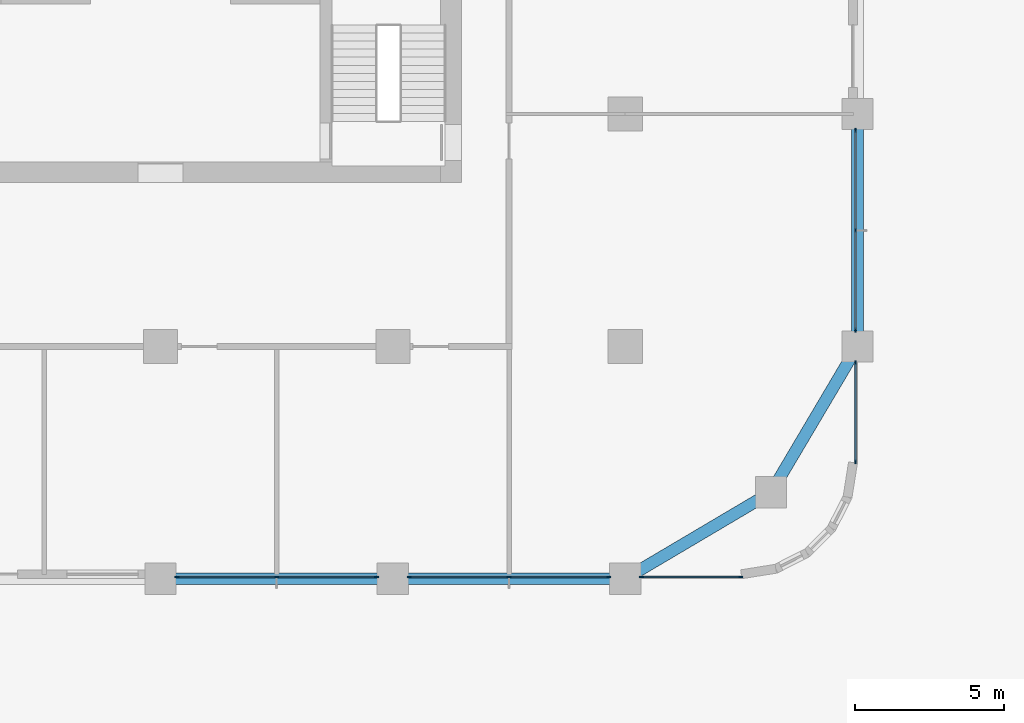
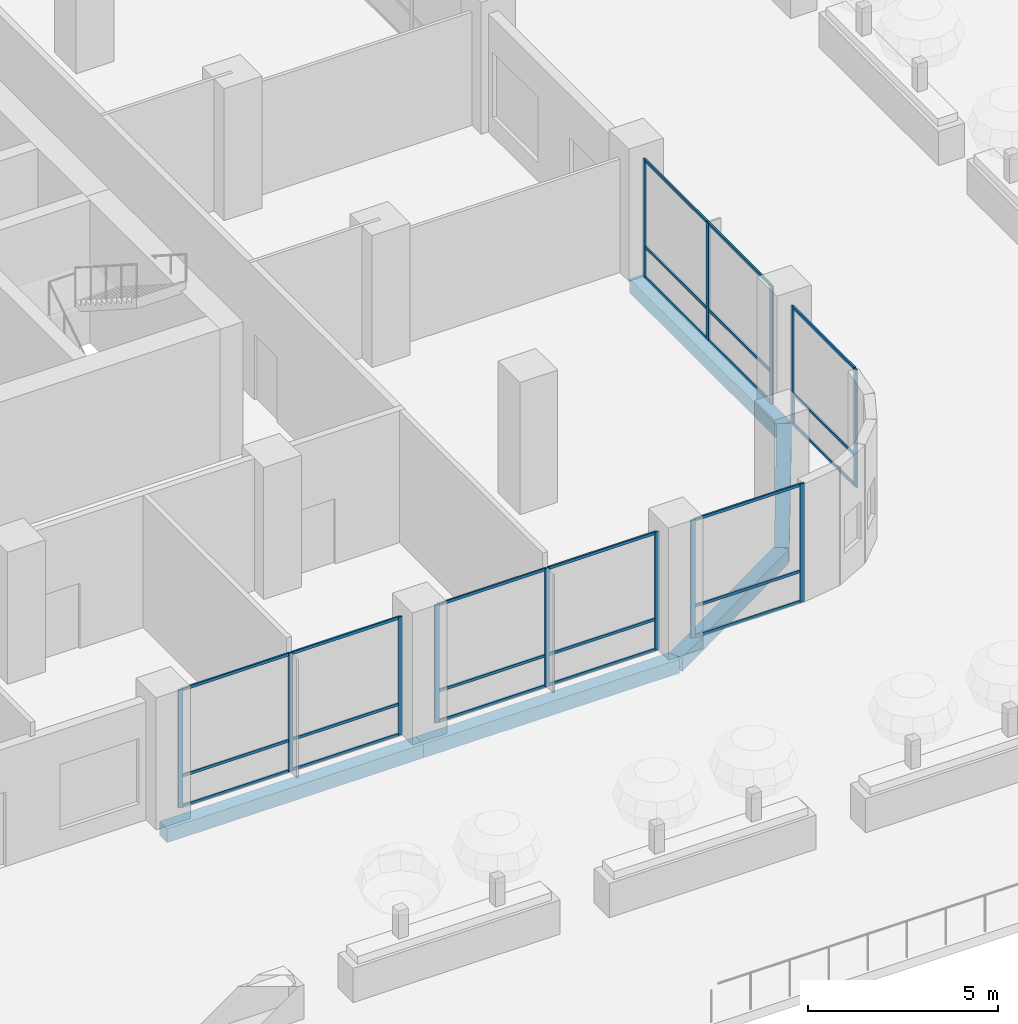
# One storey, part 4 of 31: 37 members, 5 beams, 5 elements without a shape of their own.
"""IFC4 building model written with IfcOpenShell, lengths in metres."""

from ifc_helpers import new_model, si_unit, direction, frame, origin, origin_2d, place, context, subcontext, project, spatial, rectangle, extrude, material, material_profile, profile_set, type_object, element, aggregate, save


model = new_model("IFC4")

# Units and contexts
model_context = context("Model", 3, precision=1e-05, world=origin(), true_north=direction((0.0, 1.0)))
body_context = subcontext(model_context, "Body", "Model", "MODEL_VIEW")
ifc_project = project(units=[si_unit("LENGTHUNIT", "METRE"), si_unit("AREAUNIT", "SQUARE_METRE"), si_unit("VOLUMEUNIT", "CUBIC_METRE"), si_unit("PLANEANGLEUNIT", "RADIAN"), si_unit("MASSUNIT", "GRAM", prefix="KILO")], contexts=[model_context])

# Site, building, storey
site_placement = place(None, origin())
site = spatial("IfcSite", under=ifc_project, at=site_placement, CompositionType="ELEMENT")
building_placement = place(site_placement, origin())
building = spatial("IfcBuilding", under=site, at=building_placement, Name="Ludao Terraces", CompositionType="ELEMENT")
storey_placement = place(building_placement, frame((0.0, 0.0, 15.0)))
storey = spatial("IfcBuildingStorey", under=building, at=storey_placement, Name="L03", CompositionType="ELEMENT", Elevation=15.0)

# Curtain wall, members
ifc_material_1 = material(Name="Aluminium curtain wall with fritted glass", Category="aluminium")
curtain_wall_type = type_object("IfcCurtainWallType", Name="ENV CW5 amenity glazing", PredefinedType="NOTDEFINED", material=ifc_material_1)
curtain_wall_1_placement = place(storey_placement, origin())
curtain_wall_1 = element("IfcCurtainWall", 1, at=curtain_wall_1_placement, inside=storey, type_object=curtain_wall_type, Name="Amenity glazing L03 S4", PredefinedType="NOTDEFINED")
ifc_material_2 = material(Name="Aluminium 6063-T6", Category="aluminium")
ifc_material_profile_1 = material_profile(ifc_material_2, rectangle(XDim=0.050048828125, YDim=0.139892578125, at=origin_2d()), Name="50 X 140")
ifc_profile_set_1 = profile_set([ifc_material_profile_1], Name="Aluminium 6063-T6")
member_type_1 = type_object("IfcMemberType", Name="ENV CW5 mullion 50x140", PredefinedType="MULLION", material=ifc_profile_set_1)
member_1_placement = place(storey_placement, frame((85.550048828125, 41.659912109375, 0.0), z_axis=(0.0, 0.0, 1.0), x_axis=(0.0, 1.0, 0.0)))
member_1 = element("IfcMember", 2, at=member_1_placement, type_object=member_type_1, Name="CW5 mullion 1", PredefinedType="MULLION", context=body_context, shape_type="SweptSolid", body=[
    extrude(rectangle(XDim=0.050048828125, YDim=0.139892578125, at=origin_2d()), origin(), (0.0, 0.0, 1.0), 3.800048828125),
])
member_2_placement = place(storey_placement, frame((88.89990234375, 41.659912109375, 0.0), z_axis=(0.0, 0.0, 1.0), x_axis=(0.0, 1.0, 0.0)))
member_2 = element("IfcMember", 3, at=member_2_placement, type_object=member_type_1, Name="CW5 mullion 2", PredefinedType="MULLION", context=body_context, shape_type="SweptSolid", body=[
    extrude(rectangle(XDim=0.050048828125, YDim=0.139892578125, at=origin_2d()), origin(), (0.0, 0.0, 1.0), 3.800048828125),
])
member_3_placement = place(storey_placement, frame((92.25, 41.659912109375, 0.0), z_axis=(0.0, 0.0, 1.0), x_axis=(0.0, 1.0, 0.0)))
member_3 = element("IfcMember", 4, at=member_3_placement, type_object=member_type_1, Name="CW5 mullion 3", PredefinedType="MULLION", context=body_context, shape_type="SweptSolid", body=[
    extrude(rectangle(XDim=0.050048828125, YDim=0.139892578125, at=origin_2d()), origin(), (0.0, 0.0, 1.0), 3.800048828125),
])

curtain_wall_2_placement = place(storey_placement, origin())
curtain_wall_2 = element("IfcCurtainWall", 5, at=curtain_wall_2_placement, inside=storey, type_object=curtain_wall_type, Name="Amenity glazing L03 S5", PredefinedType="NOTDEFINED")
member_4_placement = place(storey_placement, frame((93.35009765625, 41.659912109375, 0.0), z_axis=(0.0, 0.0, 1.0), x_axis=(0.0, 1.0, 0.0)))
member_4 = element("IfcMember", 6, at=member_4_placement, type_object=member_type_1, Name="CW5 mullion 1", PredefinedType="MULLION", context=body_context, shape_type="SweptSolid", body=[
    extrude(rectangle(XDim=0.050048828125, YDim=0.139892578125, at=origin_2d()), origin(), (0.0, 0.0, 1.0), 3.800048828125),
])
member_5_placement = place(storey_placement, frame((96.699951171875, 41.659912109375, 0.0), z_axis=(0.0, 0.0, 1.0), x_axis=(0.0, 1.0, 0.0)))
member_5 = element("IfcMember", 7, at=member_5_placement, type_object=member_type_1, Name="CW5 mullion 2", PredefinedType="MULLION", context=body_context, shape_type="SweptSolid", body=[
    extrude(rectangle(XDim=0.050048828125, YDim=0.139892578125, at=origin_2d()), origin(), (0.0, 0.0, 1.0), 3.800048828125),
])
member_6_placement = place(storey_placement, frame((100.050048828125, 41.659912109375, 0.0), z_axis=(0.0, 0.0, 1.0), x_axis=(0.0, 1.0, 0.0)))
member_6 = element("IfcMember", 8, at=member_6_placement, type_object=member_type_1, Name="CW5 mullion 3", PredefinedType="MULLION", context=body_context, shape_type="SweptSolid", body=[
    extrude(rectangle(XDim=0.050048828125, YDim=0.139892578125, at=origin_2d()), origin(), (0.0, 0.0, 1.0), 3.800048828125),
])

curtain_wall_3_placement = place(storey_placement, origin())
curtain_wall_3 = element("IfcCurtainWall", 9, at=curtain_wall_3_placement, inside=storey, type_object=curtain_wall_type, Name="Amenity glazing L03 S6", PredefinedType="NOTDEFINED")
member_7_placement = place(storey_placement, frame((101.14990234375, 41.659912109375, 0.0), z_axis=(0.0, 0.0, 1.0), x_axis=(0.0, 1.0, 0.0)))
member_7 = element("IfcMember", 10, at=member_7_placement, type_object=member_type_1, Name="CW5 mullion 1", PredefinedType="MULLION", context=body_context, shape_type="SweptSolid", body=[
    extrude(rectangle(XDim=0.050048828125, YDim=0.139892578125, at=origin_2d()), origin(), (0.0, 0.0, 1.0), 3.800048828125),
])
member_8_placement = place(storey_placement, frame((104.47509765625, 41.659912109375, 0.0), z_axis=(0.0, 0.0, 1.0), x_axis=(0.0, 1.0, 0.0)))
member_8 = element("IfcMember", 11, at=member_8_placement, type_object=member_type_1, Name="CW5 mullion 2", PredefinedType="MULLION", context=body_context, shape_type="SweptSolid", body=[
    extrude(rectangle(XDim=0.050048828125, YDim=0.139892578125, at=origin_2d()), origin(), (0.0, 0.0, 1.0), 3.800048828125),
])

curtain_wall_4_placement = place(storey_placement, origin())
curtain_wall_4 = element("IfcCurtainWall", 12, at=curtain_wall_4_placement, inside=storey, type_object=curtain_wall_type, Name="Amenity glazing L03 E1", PredefinedType="NOTDEFINED")
member_9_placement = place(storey_placement, frame((108.340087890625, 45.52490234375, 0.0), z_axis=(0.0, 0.0, 1.0), x_axis=(-1.0, 0.0, 0.0)))
member_9 = element("IfcMember", 13, at=member_9_placement, type_object=member_type_1, Name="CW5 mullion 1", PredefinedType="MULLION", context=body_context, shape_type="SweptSolid", body=[
    extrude(rectangle(XDim=0.050048828125, YDim=0.139892578125, at=origin_2d()), origin(), (0.0, 0.0, 1.0), 3.800048828125),
])
member_10_placement = place(storey_placement, frame((108.340087890625, 48.85009765625, 0.0), z_axis=(0.0, 0.0, 1.0), x_axis=(-1.0, 0.0, 0.0)))
member_10 = element("IfcMember", 14, at=member_10_placement, type_object=member_type_1, Name="CW5 mullion 2", PredefinedType="MULLION", context=body_context, shape_type="SweptSolid", body=[
    extrude(rectangle(XDim=0.050048828125, YDim=0.139892578125, at=origin_2d()), origin(), (0.0, 0.0, 1.0), 3.800048828125),
])

curtain_wall_5_placement = place(storey_placement, origin())
curtain_wall_5 = element("IfcCurtainWall", 15, at=curtain_wall_5_placement, inside=storey, type_object=curtain_wall_type, Name="Amenity glazing L03 E2", PredefinedType="NOTDEFINED")
member_11_placement = place(storey_placement, frame((108.340087890625, 49.949951171875, 0.0), z_axis=(0.0, 0.0, 1.0), x_axis=(-1.0, 0.0, 0.0)))
member_11 = element("IfcMember", 16, at=member_11_placement, type_object=member_type_1, Name="CW5 mullion 1", PredefinedType="MULLION", context=body_context, shape_type="SweptSolid", body=[
    extrude(rectangle(XDim=0.050048828125, YDim=0.139892578125, at=origin_2d()), origin(), (0.0, 0.0, 1.0), 3.800048828125),
])
member_12_placement = place(storey_placement, frame((108.340087890625, 53.300048828125, 0.0), z_axis=(0.0, 0.0, 1.0), x_axis=(-1.0, 0.0, 0.0)))
member_12 = element("IfcMember", 17, at=member_12_placement, type_object=member_type_1, Name="CW5 mullion 2", PredefinedType="MULLION", context=body_context, shape_type="SweptSolid", body=[
    extrude(rectangle(XDim=0.050048828125, YDim=0.139892578125, at=origin_2d()), origin(), (0.0, 0.0, 1.0), 3.800048828125),
])
member_13_placement = place(storey_placement, frame((108.340087890625, 56.64990234375, 0.0), z_axis=(0.0, 0.0, 1.0), x_axis=(-1.0, 0.0, 0.0)))
member_13 = element("IfcMember", 18, at=member_13_placement, type_object=member_type_1, Name="CW5 mullion 3", PredefinedType="MULLION", context=body_context, shape_type="SweptSolid", body=[
    extrude(rectangle(XDim=0.050048828125, YDim=0.139892578125, at=origin_2d()), origin(), (0.0, 0.0, 1.0), 3.800048828125),
])

# Member
ifc_material_profile_2 = material_profile(ifc_material_2, rectangle(XDim=0.050048828125, YDim=0.090087890625, at=origin_2d()), Name="50 X 90")
ifc_profile_set_2 = profile_set([ifc_material_profile_2], Name="Aluminium 6063-T6")
member_type_2 = type_object("IfcMemberType", Name="ENV CW5 transom 50x90", PredefinedType="USERDEFINED", material=ifc_profile_set_2)
member_14_placement = place(storey_placement, frame((85.574951171875, 41.659912109375, 0.02490234375), z_axis=(1.0, 0.0, 0.0), x_axis=(0.0, 1.0, 0.0)))
member_14 = element("IfcMember", 19, at=member_14_placement, type_object=member_type_2, Name="CW5 transom 1.1", ObjectType="TRANSOM", PredefinedType="USERDEFINED", context=body_context, shape_type="SweptSolid", body=[
    extrude(rectangle(XDim=0.050048828125, YDim=0.090087890625, at=origin_2d()), origin(), (0.0, 0.0, 1.0), 3.300048828125),
])

member_15_placement = place(storey_placement, frame((85.574951171875, 41.659912109375, 1.0), z_axis=(1.0, 0.0, 0.0), x_axis=(0.0, 1.0, 0.0)))
member_15 = element("IfcMember", 20, at=member_15_placement, type_object=member_type_2, Name="CW5 transom 1.2", ObjectType="TRANSOM", PredefinedType="USERDEFINED", context=body_context, shape_type="SweptSolid", body=[
    extrude(rectangle(XDim=0.050048828125, YDim=0.090087890625, at=origin_2d()), origin(), (0.0, 0.0, 1.0), 3.300048828125),
])

member_16_placement = place(storey_placement, frame((85.574951171875, 41.659912109375, 3.77490234375), z_axis=(1.0, 0.0, 0.0), x_axis=(0.0, 1.0, 0.0)))
member_16 = element("IfcMember", 21, at=member_16_placement, type_object=member_type_2, Name="CW5 transom 1.3", ObjectType="TRANSOM", PredefinedType="USERDEFINED", context=body_context, shape_type="SweptSolid", body=[
    extrude(rectangle(XDim=0.050048828125, YDim=0.090087890625, at=origin_2d()), origin(), (0.0, 0.0, 1.0), 3.300048828125),
])

member_17_placement = place(storey_placement, frame((88.925048828125, 41.659912109375, 0.02490234375), z_axis=(1.0, 0.0, 0.0), x_axis=(0.0, 1.0, 0.0)))
member_17 = element("IfcMember", 22, at=member_17_placement, type_object=member_type_2, Name="CW5 transom 2.1", ObjectType="TRANSOM", PredefinedType="USERDEFINED", context=body_context, shape_type="SweptSolid", body=[
    extrude(rectangle(XDim=0.050048828125, YDim=0.090087890625, at=origin_2d()), origin(), (0.0, 0.0, 1.0), 3.300048828125),
])

member_18_placement = place(storey_placement, frame((88.925048828125, 41.659912109375, 1.0), z_axis=(1.0, 0.0, 0.0), x_axis=(0.0, 1.0, 0.0)))
member_18 = element("IfcMember", 23, at=member_18_placement, type_object=member_type_2, Name="CW5 transom 2.2", ObjectType="TRANSOM", PredefinedType="USERDEFINED", context=body_context, shape_type="SweptSolid", body=[
    extrude(rectangle(XDim=0.050048828125, YDim=0.090087890625, at=origin_2d()), origin(), (0.0, 0.0, 1.0), 3.300048828125),
])

member_19_placement = place(storey_placement, frame((88.925048828125, 41.659912109375, 3.77490234375), z_axis=(1.0, 0.0, 0.0), x_axis=(0.0, 1.0, 0.0)))
member_19 = element("IfcMember", 24, at=member_19_placement, type_object=member_type_2, Name="CW5 transom 2.3", ObjectType="TRANSOM", PredefinedType="USERDEFINED", context=body_context, shape_type="SweptSolid", body=[
    extrude(rectangle(XDim=0.050048828125, YDim=0.090087890625, at=origin_2d()), origin(), (0.0, 0.0, 1.0), 3.300048828125),
])

aggregate(curtain_wall_1, [member_1, member_2, member_3, member_14, member_15, member_16, member_17, member_18, member_19])

member_20_placement = place(storey_placement, frame((93.375, 41.659912109375, 0.02490234375), z_axis=(1.0, 0.0, 0.0), x_axis=(0.0, 1.0, 0.0)))
member_20 = element("IfcMember", 25, at=member_20_placement, type_object=member_type_2, Name="CW5 transom 1.1", ObjectType="TRANSOM", PredefinedType="USERDEFINED", context=body_context, shape_type="SweptSolid", body=[
    extrude(rectangle(XDim=0.050048828125, YDim=0.090087890625, at=origin_2d()), origin(), (0.0, 0.0, 1.0), 3.300048828125),
])

member_21_placement = place(storey_placement, frame((93.375, 41.659912109375, 1.0), z_axis=(1.0, 0.0, 0.0), x_axis=(0.0, 1.0, 0.0)))
member_21 = element("IfcMember", 26, at=member_21_placement, type_object=member_type_2, Name="CW5 transom 1.2", ObjectType="TRANSOM", PredefinedType="USERDEFINED", context=body_context, shape_type="SweptSolid", body=[
    extrude(rectangle(XDim=0.050048828125, YDim=0.090087890625, at=origin_2d()), origin(), (0.0, 0.0, 1.0), 3.300048828125),
])

member_22_placement = place(storey_placement, frame((93.375, 41.659912109375, 3.77490234375), z_axis=(1.0, 0.0, 0.0), x_axis=(0.0, 1.0, 0.0)))
member_22 = element("IfcMember", 27, at=member_22_placement, type_object=member_type_2, Name="CW5 transom 1.3", ObjectType="TRANSOM", PredefinedType="USERDEFINED", context=body_context, shape_type="SweptSolid", body=[
    extrude(rectangle(XDim=0.050048828125, YDim=0.090087890625, at=origin_2d()), origin(), (0.0, 0.0, 1.0), 3.300048828125),
])

member_23_placement = place(storey_placement, frame((96.72509765625, 41.659912109375, 0.02490234375), z_axis=(1.0, 0.0, 0.0), x_axis=(0.0, 1.0, 0.0)))
member_23 = element("IfcMember", 28, at=member_23_placement, type_object=member_type_2, Name="CW5 transom 2.1", ObjectType="TRANSOM", PredefinedType="USERDEFINED", context=body_context, shape_type="SweptSolid", body=[
    extrude(rectangle(XDim=0.050048828125, YDim=0.090087890625, at=origin_2d()), origin(), (0.0, 0.0, 1.0), 3.2998046875),
])

member_24_placement = place(storey_placement, frame((96.72509765625, 41.659912109375, 1.0), z_axis=(1.0, 0.0, 0.0), x_axis=(0.0, 1.0, 0.0)))
member_24 = element("IfcMember", 29, at=member_24_placement, type_object=member_type_2, Name="CW5 transom 2.2", ObjectType="TRANSOM", PredefinedType="USERDEFINED", context=body_context, shape_type="SweptSolid", body=[
    extrude(rectangle(XDim=0.050048828125, YDim=0.090087890625, at=origin_2d()), origin(), (0.0, 0.0, 1.0), 3.2998046875),
])

member_25_placement = place(storey_placement, frame((96.72509765625, 41.659912109375, 3.77490234375), z_axis=(1.0, 0.0, 0.0), x_axis=(0.0, 1.0, 0.0)))
member_25 = element("IfcMember", 30, at=member_25_placement, type_object=member_type_2, Name="CW5 transom 2.3", ObjectType="TRANSOM", PredefinedType="USERDEFINED", context=body_context, shape_type="SweptSolid", body=[
    extrude(rectangle(XDim=0.050048828125, YDim=0.090087890625, at=origin_2d()), origin(), (0.0, 0.0, 1.0), 3.2998046875),
])

aggregate(curtain_wall_2, [member_4, member_5, member_6, member_20, member_21, member_22, member_23, member_24, member_25])

member_26_placement = place(storey_placement, frame((101.175048828125, 41.659912109375, 0.02490234375), z_axis=(1.0, 0.0, 0.0), x_axis=(0.0, 1.0, 0.0)))
member_26 = element("IfcMember", 31, at=member_26_placement, type_object=member_type_2, Name="CW5 transom 1.1", ObjectType="TRANSOM", PredefinedType="USERDEFINED", context=body_context, shape_type="SweptSolid", body=[
    extrude(rectangle(XDim=0.050048828125, YDim=0.090087890625, at=origin_2d()), origin(), (0.0, 0.0, 1.0), 3.27490234375),
])

member_27_placement = place(storey_placement, frame((101.175048828125, 41.659912109375, 1.0), z_axis=(1.0, 0.0, 0.0), x_axis=(0.0, 1.0, 0.0)))
member_27 = element("IfcMember", 32, at=member_27_placement, type_object=member_type_2, Name="CW5 transom 1.2", ObjectType="TRANSOM", PredefinedType="USERDEFINED", context=body_context, shape_type="SweptSolid", body=[
    extrude(rectangle(XDim=0.050048828125, YDim=0.090087890625, at=origin_2d()), origin(), (0.0, 0.0, 1.0), 3.27490234375),
])

member_28_placement = place(storey_placement, frame((101.175048828125, 41.659912109375, 3.77490234375), z_axis=(1.0, 0.0, 0.0), x_axis=(0.0, 1.0, 0.0)))
member_28 = element("IfcMember", 33, at=member_28_placement, type_object=member_type_2, Name="CW5 transom 1.3", ObjectType="TRANSOM", PredefinedType="USERDEFINED", context=body_context, shape_type="SweptSolid", body=[
    extrude(rectangle(XDim=0.050048828125, YDim=0.090087890625, at=origin_2d()), origin(), (0.0, 0.0, 1.0), 3.27490234375),
])

aggregate(curtain_wall_3, [member_7, member_8, member_26, member_27, member_28])

member_29_placement = place(storey_placement, frame((108.340087890625, 45.550048828125, 0.02490234375), z_axis=(0.0, 1.0, 0.0), x_axis=(-1.0, 0.0, 0.0)))
member_29 = element("IfcMember", 34, at=member_29_placement, type_object=member_type_2, Name="CW5 transom 1.1", ObjectType="TRANSOM", PredefinedType="USERDEFINED", context=body_context, shape_type="SweptSolid", body=[
    extrude(rectangle(XDim=0.050048828125, YDim=0.090087890625, at=origin_2d()), origin(), (0.0, 0.0, 1.0), 3.27490234375),
])

member_30_placement = place(storey_placement, frame((108.340087890625, 45.550048828125, 1.0), z_axis=(0.0, 1.0, 0.0), x_axis=(-1.0, 0.0, 0.0)))
member_30 = element("IfcMember", 35, at=member_30_placement, type_object=member_type_2, Name="CW5 transom 1.2", ObjectType="TRANSOM", PredefinedType="USERDEFINED", context=body_context, shape_type="SweptSolid", body=[
    extrude(rectangle(XDim=0.050048828125, YDim=0.090087890625, at=origin_2d()), origin(), (0.0, 0.0, 1.0), 3.27490234375),
])

member_31_placement = place(storey_placement, frame((108.340087890625, 45.550048828125, 3.77490234375), z_axis=(0.0, 1.0, 0.0), x_axis=(-1.0, 0.0, 0.0)))
member_31 = element("IfcMember", 36, at=member_31_placement, type_object=member_type_2, Name="CW5 transom 1.3", ObjectType="TRANSOM", PredefinedType="USERDEFINED", context=body_context, shape_type="SweptSolid", body=[
    extrude(rectangle(XDim=0.050048828125, YDim=0.090087890625, at=origin_2d()), origin(), (0.0, 0.0, 1.0), 3.27490234375),
])

aggregate(curtain_wall_4, [member_9, member_10, member_29, member_30, member_31])

member_32_placement = place(storey_placement, frame((108.340087890625, 49.97509765625, 0.02490234375), z_axis=(0.0, 1.0, 0.0), x_axis=(-1.0, 0.0, 0.0)))
member_32 = element("IfcMember", 37, at=member_32_placement, type_object=member_type_2, Name="CW5 transom 1.1", ObjectType="TRANSOM", PredefinedType="USERDEFINED", context=body_context, shape_type="SweptSolid", body=[
    extrude(rectangle(XDim=0.050048828125, YDim=0.090087890625, at=origin_2d()), origin(), (0.0, 0.0, 1.0), 3.2998046875),
])

member_33_placement = place(storey_placement, frame((108.340087890625, 49.97509765625, 1.0), z_axis=(0.0, 1.0, 0.0), x_axis=(-1.0, 0.0, 0.0)))
member_33 = element("IfcMember", 38, at=member_33_placement, type_object=member_type_2, Name="CW5 transom 1.2", ObjectType="TRANSOM", PredefinedType="USERDEFINED", context=body_context, shape_type="SweptSolid", body=[
    extrude(rectangle(XDim=0.050048828125, YDim=0.090087890625, at=origin_2d()), origin(), (0.0, 0.0, 1.0), 3.2998046875),
])

member_34_placement = place(storey_placement, frame((108.340087890625, 49.97509765625, 3.77490234375), z_axis=(0.0, 1.0, 0.0), x_axis=(-1.0, 0.0, 0.0)))
member_34 = element("IfcMember", 39, at=member_34_placement, type_object=member_type_2, Name="CW5 transom 1.3", ObjectType="TRANSOM", PredefinedType="USERDEFINED", context=body_context, shape_type="SweptSolid", body=[
    extrude(rectangle(XDim=0.050048828125, YDim=0.090087890625, at=origin_2d()), origin(), (0.0, 0.0, 1.0), 3.2998046875),
])

member_35_placement = place(storey_placement, frame((108.340087890625, 53.324951171875, 0.02490234375), z_axis=(0.0, 1.0, 0.0), x_axis=(-1.0, 0.0, 0.0)))
member_35 = element("IfcMember", 40, at=member_35_placement, type_object=member_type_2, Name="CW5 transom 2.1", ObjectType="TRANSOM", PredefinedType="USERDEFINED", context=body_context, shape_type="SweptSolid", body=[
    extrude(rectangle(XDim=0.050048828125, YDim=0.090087890625, at=origin_2d()), origin(), (0.0, 0.0, 1.0), 3.300048828125),
])

member_36_placement = place(storey_placement, frame((108.340087890625, 53.324951171875, 1.0), z_axis=(0.0, 1.0, 0.0), x_axis=(-1.0, 0.0, 0.0)))
member_36 = element("IfcMember", 41, at=member_36_placement, type_object=member_type_2, Name="CW5 transom 2.2", ObjectType="TRANSOM", PredefinedType="USERDEFINED", context=body_context, shape_type="SweptSolid", body=[
    extrude(rectangle(XDim=0.050048828125, YDim=0.090087890625, at=origin_2d()), origin(), (0.0, 0.0, 1.0), 3.300048828125),
])

member_37_placement = place(storey_placement, frame((108.340087890625, 53.324951171875, 3.77490234375), z_axis=(0.0, 1.0, 0.0), x_axis=(-1.0, 0.0, 0.0)))
member_37 = element("IfcMember", 42, at=member_37_placement, type_object=member_type_2, Name="CW5 transom 2.3", ObjectType="TRANSOM", PredefinedType="USERDEFINED", context=body_context, shape_type="SweptSolid", body=[
    extrude(rectangle(XDim=0.050048828125, YDim=0.090087890625, at=origin_2d()), origin(), (0.0, 0.0, 1.0), 3.300048828125),
])

aggregate(curtain_wall_5, [member_11, member_12, member_13, member_32, member_33, member_34, member_35, member_36, member_37])

# Beams
ifc_material_3 = material(Name="Concrete C40", Category="concrete")
ifc_material_profile_3 = material_profile(ifc_material_3, rectangle(XDim=0.39990234375, YDim=0.449951171875, at=origin_2d()), Name="400 X 450")
ifc_profile_set_3 = profile_set([ifc_material_profile_3], Name="Concrete C40")
beam_type = type_object("IfcBeamType", Name="RC beam 400x450 C40", PredefinedType="BEAM", material=ifc_profile_set_3)
for number, where, z_axis, x_axis, name in (
    (43, (85.0, 41.60009765625, -0.574951171875), (1.0, 0.0, 0.0), (0.0, 1.0, 0.0), "Spandrel beam L03 S4"),
    (44, (92.800048828125, 41.60009765625, -0.574951171875), (1.0, 0.0, 0.0), (0.0, 1.0, 0.0), "Spandrel beam L03 S5"),
):
    element("IfcBeam", number, at=place(storey_placement, frame(where, z_axis=z_axis, x_axis=x_axis)), inside=storey, type_object=beam_type, Name=name, PredefinedType="BEAM", context=body_context, shape_type="SweptSolid", body=[
        extrude(rectangle(XDim=0.39990234375, YDim=0.449951171875, at=origin_2d()), origin(), (0.0, 0.0, 1.0), 7.800048828125),
    ])
for number, where, z_axis, x_axis, name in (
    (45, (100.60009765625, 41.60009765625, -0.574951171875), (0.860579751256, 0.509315709288, 0.0), (-0.509315709288, 0.860579751256, 0.0), "Spandrel beam L03 S6"),
    (46, (105.5, 44.5, -0.574951171875), (0.509315709288, 0.860579751256, 0.0), (-0.860579751256, 0.509315709288, 0.0), "Spandrel beam L03 E19"),
):
    element("IfcBeam", number, at=place(storey_placement, frame(where, z_axis=z_axis, x_axis=x_axis)), inside=storey, type_object=beam_type, Name=name, PredefinedType="BEAM", context=body_context, shape_type="SweptSolid", body=[
        extrude(rectangle(XDim=0.39990234375, YDim=0.449951171875, at=origin_2d()), origin(), (0.0, 0.0, 1.0), 5.693603515625),
    ])
beam_placement = place(storey_placement, frame((108.39990234375, 49.39990234375, -0.574951171875), z_axis=(0.0, 1.0, 0.0), x_axis=(-1.0, 0.0, 0.0)))
element("IfcBeam", 47, at=beam_placement, inside=storey, type_object=beam_type, Name="Spandrel beam L03 E20", PredefinedType="BEAM", context=body_context, shape_type="SweptSolid", body=[
    extrude(rectangle(XDim=0.39990234375, YDim=0.449951171875, at=origin_2d()), origin(), (0.0, 0.0, 1.0), 7.800048828125),
])

save(model, "model.ifc")
